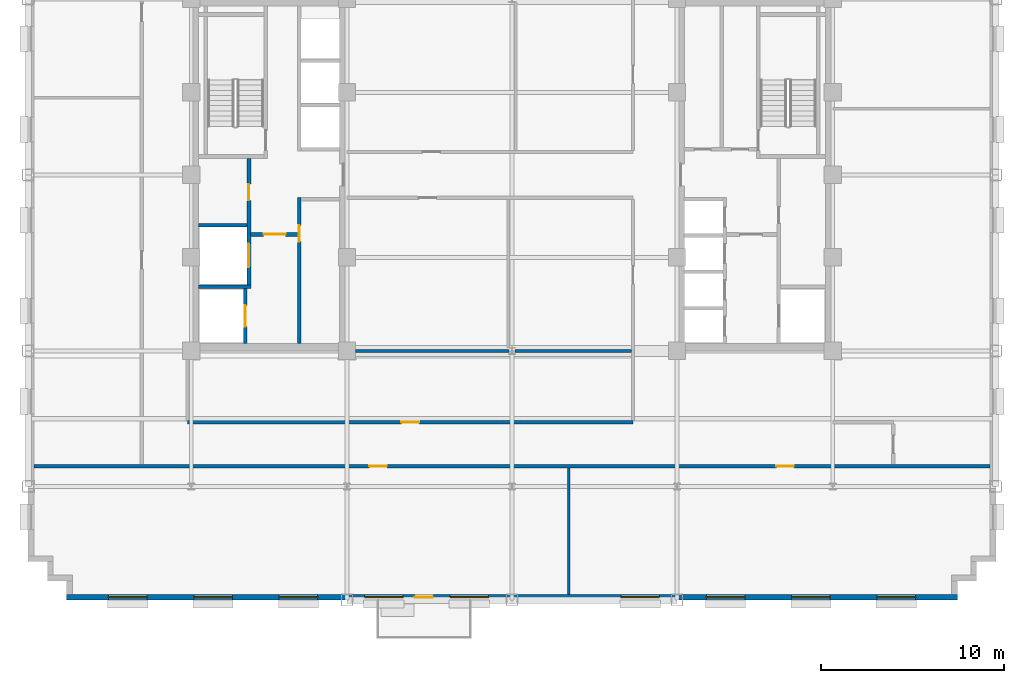
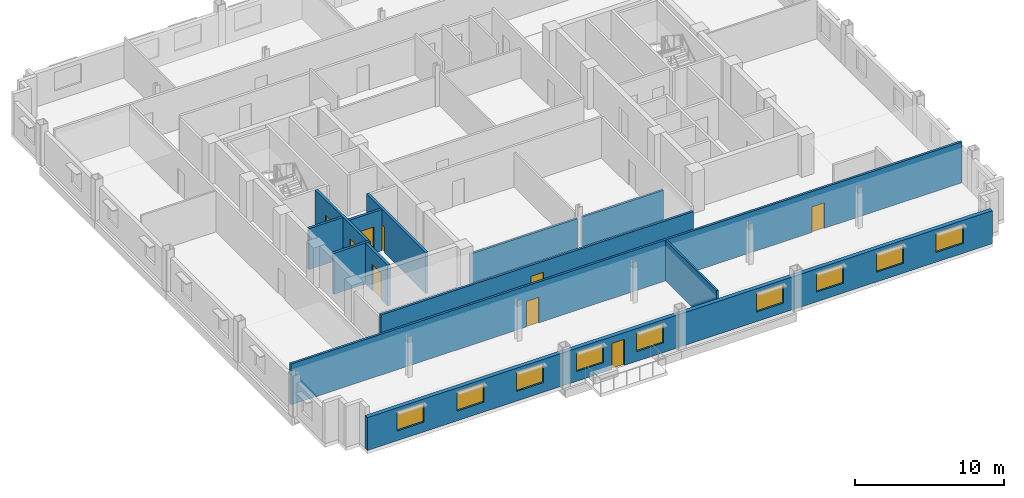
# One storey, part 6 of 14: 12 walls, 9 doors, 9 windows, 18 openings.
"""IFC4 building model written with IfcOpenShell, lengths in metres."""

from ifc_helpers import new_model, si_unit, direction, frame, frame_2d, origin, place, context, subcontext, project, spatial, rectangle, extrude, source, transform, mapped, material, layer, layer_set, type_object, type_shapes, element, fill, save


model = new_model("IFC4")

# Units and contexts
model_context = context("Model", 3, precision=1e-05, world=origin(), true_north=direction((0.0, 1.0)))
body_context = subcontext(model_context, "Body", "Model", "MODEL_VIEW")
ifc_project = project(units=[si_unit("LENGTHUNIT", "METRE"), si_unit("AREAUNIT", "SQUARE_METRE"), si_unit("VOLUMEUNIT", "CUBIC_METRE"), si_unit("PLANEANGLEUNIT", "RADIAN"), si_unit("MASSUNIT", "GRAM", prefix="KILO")], contexts=[model_context])

# Site, building, storey
site_placement = place(None, origin())
site = spatial("IfcSite", under=ifc_project, at=site_placement, CompositionType="ELEMENT")
building_placement = place(site_placement, origin())
building = spatial("IfcBuilding", under=site, at=building_placement, Name="Nuvemarco Arch Tower", CompositionType="ELEMENT")
storey_placement = place(building_placement, frame((0.0, 0.0, 145.75)))
storey = spatial("IfcBuildingStorey", under=building, at=storey_placement, Name="L38", CompositionType="ELEMENT", Elevation=145.75)

# Wall, openings, door, windows
ifc_material_1 = material(Name="Precast concrete C45/55", Category="concrete")
ifc_layer_1 = layer(ifc_material_1, 0.320068359375, Name="EW-MID-320")
ifc_layer_set_1 = layer_set([ifc_layer_1], Name="Precast concrete C45/55")
wall_type_1 = type_object("IfcWallType", Name="EW-MID-320", PredefinedType="STANDARD", material=ifc_layer_set_1)
wall_1_placement = place(storey_placement, frame((-24.300048828125, -23.0400390625, 0.0), z_axis=(0.0, 0.0, 1.0), x_axis=(1.0, 0.0, 0.0)))
wall_1 = element("IfcWall", 1, at=wall_1_placement, inside=storey, type_object=wall_type_1, Name="L38 exterior precast facade wall 1", PredefinedType="STANDARD", context=body_context, shape_type="SweptSolid", body=[
    extrude(rectangle(XDim=48.60009765625, YDim=0.320068359375, at=frame_2d((24.300048828125, 0.0))), origin(), (0.0, 0.0, 1.0), 2.705078125),
])
opening_1_placement = place(wall_1_placement, frame((19.97998046875, 0.0, 0.0), z_axis=(0.0, 0.0, 1.0), x_axis=(-1.0, 0.0, 0.0)))
opening_1 = element("IfcOpeningElement", 2, at=opening_1_placement, cuts=wall_1, Name="Opening ED-6", PredefinedType="OPENING", context=body_context, shape_type="SweptSolid", body=[
    extrude(rectangle(XDim=0.97998046875, YDim=2.14990234375, at=frame_2d((0.489990234375, 1.074951171875))), frame((0.0, 0.169921875, 0.0), z_axis=(0.0, -1.0, 0.0), x_axis=(1.0, 0.0, 0.0)), (0.0, 0.0, 1.0), 0.340087890625),
])
opening_2_placement = place(wall_1_placement, frame((2.280029296875, 0.0, 0.800048828125)))
opening_2 = element("IfcOpeningElement", 3, at=opening_2_placement, cuts=wall_1, Name="Opening WN-5", PredefinedType="OPENING", context=body_context, shape_type="SweptSolid", body=[
    extrude(rectangle(XDim=2.10009765625, YDim=1.56005859375, at=frame_2d((1.050048828125, 0.780029296875))), frame((0.0, 0.169921875, 0.0), z_axis=(0.0, -1.0, 0.0), x_axis=(1.0, 0.0, 0.0)), (0.0, 0.0, 1.0), 0.340087890625),
])
opening_3_placement = place(wall_1_placement, frame((6.93994140625, 0.0, 0.800048828125)))
opening_3 = element("IfcOpeningElement", 4, at=opening_3_placement, cuts=wall_1, Name="Opening WN-5", PredefinedType="OPENING", context=body_context, shape_type="SweptSolid", body=[
    extrude(rectangle(XDim=2.10009765625, YDim=1.56005859375, at=frame_2d((1.050048828125, 0.780029296875))), frame((0.0, 0.169921875, 0.0), z_axis=(0.0, -1.0, 0.0), x_axis=(1.0, 0.0, 0.0)), (0.0, 0.0, 1.0), 0.340087890625),
])
opening_4_placement = place(wall_1_placement, frame((11.60009765625, 0.0, 0.800048828125)))
opening_4 = element("IfcOpeningElement", 5, at=opening_4_placement, cuts=wall_1, Name="Opening WN-5", PredefinedType="OPENING", context=body_context, shape_type="SweptSolid", body=[
    extrude(rectangle(XDim=2.10009765625, YDim=1.56005859375, at=frame_2d((1.050048828125, 0.780029296875))), frame((0.0, 0.169921875, 0.0), z_axis=(0.0, -1.0, 0.0), x_axis=(1.0, 0.0, 0.0)), (0.0, 0.0, 1.0), 0.340087890625),
])
opening_5_placement = place(wall_1_placement, frame((16.260009765625, 0.0, 0.800048828125)))
opening_5 = element("IfcOpeningElement", 6, at=opening_5_placement, cuts=wall_1, Name="Opening WN-5", PredefinedType="OPENING", context=body_context, shape_type="SweptSolid", body=[
    extrude(rectangle(XDim=2.10009765625, YDim=1.56005859375, at=frame_2d((1.050048828125, 0.780029296875))), frame((0.0, 0.169921875, 0.0), z_axis=(0.0, -1.0, 0.0), x_axis=(1.0, 0.0, 0.0)), (0.0, 0.0, 1.0), 0.340087890625),
])
opening_6_placement = place(wall_1_placement, frame((20.919921875, 0.0, 0.800048828125)))
opening_6 = element("IfcOpeningElement", 7, at=opening_6_placement, cuts=wall_1, Name="Opening WN-5", PredefinedType="OPENING", context=body_context, shape_type="SweptSolid", body=[
    extrude(rectangle(XDim=2.10009765625, YDim=1.56005859375, at=frame_2d((1.050048828125, 0.780029296875))), frame((0.0, 0.169921875, 0.0), z_axis=(0.0, -1.0, 0.0), x_axis=(1.0, 0.0, 0.0)), (0.0, 0.0, 1.0), 0.340087890625),
])
opening_7_placement = place(wall_1_placement, frame((30.239990234375, 0.0, 0.800048828125)))
opening_7 = element("IfcOpeningElement", 8, at=opening_7_placement, cuts=wall_1, Name="Opening WN-5", PredefinedType="OPENING", context=body_context, shape_type="SweptSolid", body=[
    extrude(rectangle(XDim=2.10009765625, YDim=1.56005859375, at=frame_2d((1.050048828125, 0.780029296875))), frame((0.0, 0.169921875, 0.0), z_axis=(0.0, -1.0, 0.0), x_axis=(1.0, 0.0, 0.0)), (0.0, 0.0, 1.0), 0.340087890625),
])
opening_8_placement = place(wall_1_placement, frame((34.89990234375, 0.0, 0.800048828125)))
opening_8 = element("IfcOpeningElement", 9, at=opening_8_placement, cuts=wall_1, Name="Opening WN-5", PredefinedType="OPENING", context=body_context, shape_type="SweptSolid", body=[
    extrude(rectangle(XDim=2.10009765625, YDim=1.56005859375, at=frame_2d((1.050048828125, 0.780029296875))), frame((0.0, 0.169921875, 0.0), z_axis=(0.0, -1.0, 0.0), x_axis=(1.0, 0.0, 0.0)), (0.0, 0.0, 1.0), 0.340087890625),
])
opening_9_placement = place(wall_1_placement, frame((39.56005859375, 0.0, 0.800048828125)))
opening_9 = element("IfcOpeningElement", 10, at=opening_9_placement, cuts=wall_1, Name="Opening WN-5", PredefinedType="OPENING", context=body_context, shape_type="SweptSolid", body=[
    extrude(rectangle(XDim=2.10009765625, YDim=1.56005859375, at=frame_2d((1.050048828125, 0.780029296875))), frame((0.0, 0.169921875, 0.0), z_axis=(0.0, -1.0, 0.0), x_axis=(1.0, 0.0, 0.0)), (0.0, 0.0, 1.0), 0.340087890625),
])
opening_10_placement = place(wall_1_placement, frame((44.219970703125, 0.0, 0.800048828125)))
opening_10 = element("IfcOpeningElement", 11, at=opening_10_placement, cuts=wall_1, Name="Opening WN-5", PredefinedType="OPENING", context=body_context, shape_type="SweptSolid", body=[
    extrude(rectangle(XDim=2.10009765625, YDim=1.56005859375, at=frame_2d((1.050048828125, 0.780029296875))), frame((0.0, 0.169921875, 0.0), z_axis=(0.0, -1.0, 0.0), x_axis=(1.0, 0.0, 0.0)), (0.0, 0.0, 1.0), 0.340087890625),
])
ifc_material_2 = material(Name="Anodised bronze and laminated glass", Category="glass")
door_type_1 = type_object("IfcDoorType", Name="DR-EXT-BALC", OperationType="NOTDEFINED", PredefinedType="DOOR", material=ifc_material_2)
shared_shape_1 = source(origin(), body_context, "Body", "SweptSolid", [
    extrude(rectangle(XDim=0.97998046875, YDim=2.14990234375, at=frame_2d((0.489990234375, 1.074951171875))), frame((0.0, 0.02490234375, 0.0), z_axis=(0.0, -1.0, 0.0), x_axis=(1.0, 0.0, 0.0)), (0.0, 0.0, 1.0), 0.050048828125),
])
type_shapes(door_type_1, [shared_shape_1])
door_1_placement = place(opening_1_placement, origin())
door_1 = element("IfcDoor", 12, at=door_1_placement, inside=storey, type_object=door_type_1, Name="L38 tree balcony access door", OperationType="SINGLE_SWING_RIGHT", OverallHeight=2.14990234375, OverallWidth=0.97998046875, PredefinedType="DOOR", context=body_context, shape_type="MappedRepresentation", body=[
    mapped(shared_shape_1, transform((0.0, 0.0, 0.0), scale=1.0)),
])
fill(opening_1, door_1)
ifc_material_3 = material(Name="Insulated solar-control glass", Category="glass")
window_type = type_object("IfcWindowType", Name="WN-MID-2100x1560", PartitioningType="DOUBLE_PANEL_VERTICAL", PredefinedType="WINDOW", material=ifc_material_3)
shared_shape_2 = source(origin(), body_context, "Body", "SweptSolid", [
    extrude(rectangle(XDim=2.10009765625, YDim=1.56005859375, at=frame_2d((1.050048828125, 0.780029296875))), frame((0.0, 0.030029296875, 0.0), z_axis=(0.0, -1.0, 0.0), x_axis=(1.0, 0.0, 0.0)), (0.0, 0.0, 1.0), 0.06005859375),
])
type_shapes(window_type, [shared_shape_2])
window_1_placement = place(opening_2_placement, origin())
window_1 = element("IfcWindow", 13, at=window_1_placement, inside=storey, type_object=window_type, Name="L38 punched facade window 1", OverallHeight=1.56005859375, OverallWidth=2.10009765625, PartitioningType="SINGLE_PANEL", PredefinedType="WINDOW", context=body_context, shape_type="MappedRepresentation", body=[
    mapped(shared_shape_2, transform((0.0, 0.0, 0.0), scale=1.0)),
])
fill(opening_2, window_1)
window_2_placement = place(opening_3_placement, origin())
window_2 = element("IfcWindow", 14, at=window_2_placement, inside=storey, type_object=window_type, Name="L38 punched facade window 2", OverallHeight=1.56005859375, OverallWidth=2.10009765625, PartitioningType="SINGLE_PANEL", PredefinedType="WINDOW", context=body_context, shape_type="MappedRepresentation", body=[
    mapped(shared_shape_2, transform((0.0, 0.0, 0.0), scale=1.0)),
])
fill(opening_3, window_2)
window_3_placement = place(opening_4_placement, origin())
window_3 = element("IfcWindow", 15, at=window_3_placement, inside=storey, type_object=window_type, Name="L38 punched facade window 3", OverallHeight=1.56005859375, OverallWidth=2.10009765625, PartitioningType="SINGLE_PANEL", PredefinedType="WINDOW", context=body_context, shape_type="MappedRepresentation", body=[
    mapped(shared_shape_2, transform((0.0, 0.0, 0.0), scale=1.0)),
])
fill(opening_4, window_3)
window_4_placement = place(opening_5_placement, origin())
window_4 = element("IfcWindow", 16, at=window_4_placement, inside=storey, type_object=window_type, Name="L38 punched facade window 4", OverallHeight=1.56005859375, OverallWidth=2.10009765625, PartitioningType="SINGLE_PANEL", PredefinedType="WINDOW", context=body_context, shape_type="MappedRepresentation", body=[
    mapped(shared_shape_2, transform((0.0, 0.0, 0.0), scale=1.0)),
])
fill(opening_5, window_4)
window_5_placement = place(opening_6_placement, origin())
window_5 = element("IfcWindow", 17, at=window_5_placement, inside=storey, type_object=window_type, Name="L38 punched facade window 5", OverallHeight=1.56005859375, OverallWidth=2.10009765625, PartitioningType="SINGLE_PANEL", PredefinedType="WINDOW", context=body_context, shape_type="MappedRepresentation", body=[
    mapped(shared_shape_2, transform((0.0, 0.0, 0.0), scale=1.0)),
])
fill(opening_6, window_5)
window_6_placement = place(opening_7_placement, origin())
window_6 = element("IfcWindow", 18, at=window_6_placement, inside=storey, type_object=window_type, Name="L38 punched facade window 7", OverallHeight=1.56005859375, OverallWidth=2.10009765625, PartitioningType="SINGLE_PANEL", PredefinedType="WINDOW", context=body_context, shape_type="MappedRepresentation", body=[
    mapped(shared_shape_2, transform((0.0, 0.0, 0.0), scale=1.0)),
])
fill(opening_7, window_6)
window_7_placement = place(opening_8_placement, origin())
window_7 = element("IfcWindow", 19, at=window_7_placement, inside=storey, type_object=window_type, Name="L38 punched facade window 8", OverallHeight=1.56005859375, OverallWidth=2.10009765625, PartitioningType="SINGLE_PANEL", PredefinedType="WINDOW", context=body_context, shape_type="MappedRepresentation", body=[
    mapped(shared_shape_2, transform((0.0, 0.0, 0.0), scale=1.0)),
])
fill(opening_8, window_7)
window_8_placement = place(opening_9_placement, origin())
window_8 = element("IfcWindow", 20, at=window_8_placement, inside=storey, type_object=window_type, Name="L38 punched facade window 9", OverallHeight=1.56005859375, OverallWidth=2.10009765625, PartitioningType="SINGLE_PANEL", PredefinedType="WINDOW", context=body_context, shape_type="MappedRepresentation", body=[
    mapped(shared_shape_2, transform((0.0, 0.0, 0.0), scale=1.0)),
])
fill(opening_9, window_8)
window_9_placement = place(opening_10_placement, origin())
window_9 = element("IfcWindow", 21, at=window_9_placement, inside=storey, type_object=window_type, Name="L38 punched facade window 10", OverallHeight=1.56005859375, OverallWidth=2.10009765625, PartitioningType="SINGLE_PANEL", PredefinedType="WINDOW", context=body_context, shape_type="MappedRepresentation", body=[
    mapped(shared_shape_2, transform((0.0, 0.0, 0.0), scale=1.0)),
])
fill(opening_10, window_9)

# Wall, openings, doors
ifc_material_4 = material(Name="Fire-rated gypsum drywall partition")
ifc_layer_2 = layer(ifc_material_4, 0.179931640625, Name="WL-CORR-180")
ifc_layer_set_2 = layer_set([ifc_layer_2], Name="Fire-rated gypsum drywall partition")
wall_type_2 = type_object("IfcWallType", Name="WL-CORR-180", PredefinedType="PARTITIONING", material=ifc_layer_set_2)
wall_2_placement = place(storey_placement, frame((-26.080078125, -15.89990234375, 0.0), z_axis=(0.0, 0.0, 1.0), x_axis=(1.0, 0.0, 0.0)))
wall_2 = element("IfcWall", 22, at=wall_2_placement, inside=storey, type_object=wall_type_2, Name="L38 interior wall IW-L38-001", PredefinedType="PARTITIONING", context=body_context, shape_type="SweptSolid", body=[
    extrude(rectangle(XDim=52.16015625, YDim=0.179931640625, at=frame_2d((26.080078125, 0.0))), origin(), (0.0, 0.0, 1.0), 3.360107421875),
])
opening_11_placement = place(wall_2_placement, frame((18.300048828125, 0.0, 0.0)))
opening_11 = element("IfcOpeningElement", 23, at=opening_11_placement, cuts=wall_2, Name="Opening FD-5", PredefinedType="OPENING", context=body_context, shape_type="SweptSolid", body=[
    extrude(rectangle(XDim=0.9599609375, YDim=2.10009765625, at=frame_2d((0.47998046875, 1.050048828125))), frame((0.0, 0.099853515625, 0.0), z_axis=(0.0, -1.0, 0.0), x_axis=(1.0, 0.0, 0.0)), (0.0, 0.0, 1.0), 0.199951171875),
])
opening_12_placement = place(wall_2_placement, frame((40.5, 0.0, 0.0)))
opening_12 = element("IfcOpeningElement", 24, at=opening_12_placement, cuts=wall_2, Name="Opening FD-5", PredefinedType="OPENING", context=body_context, shape_type="SweptSolid", body=[
    extrude(rectangle(XDim=0.9599609375, YDim=2.10009765625, at=frame_2d((0.47998046875, 1.050048828125))), frame((0.0, 0.099853515625, 0.0), z_axis=(0.0, -1.0, 0.0), x_axis=(1.0, 0.0, 0.0)), (0.0, 0.0, 1.0), 0.199951171875),
])
ifc_material_5 = material(Name="Timber fire door", Category="wood")
door_type_2 = type_object("IfcDoorType", Name="DR-CORR-FD", OperationType="NOTDEFINED", PredefinedType="DOOR", material=ifc_material_5)
shared_shape_3 = source(origin(), body_context, "Body", "SweptSolid", [
    extrude(rectangle(XDim=0.9599609375, YDim=2.10009765625, at=frame_2d((0.47998046875, 1.050048828125))), frame((0.0, 0.02490234375, 0.0), z_axis=(0.0, -1.0, 0.0), x_axis=(1.0, 0.0, 0.0)), (0.0, 0.0, 1.0), 0.050048828125),
])
type_shapes(door_type_2, [shared_shape_3])
door_2_placement = place(opening_11_placement, origin())
door_2 = element("IfcDoor", 25, at=door_2_placement, inside=storey, type_object=door_type_2, Name="L38 door DR-L38-S_1", OperationType="SINGLE_SWING_RIGHT", OverallHeight=2.10009765625, OverallWidth=0.9599609375, PredefinedType="DOOR", context=body_context, shape_type="MappedRepresentation", body=[
    mapped(shared_shape_3, transform((0.0, 0.0, 0.0), scale=1.0)),
])
fill(opening_11, door_2)
door_3_placement = place(opening_12_placement, origin())
door_3 = element("IfcDoor", 26, at=door_3_placement, inside=storey, type_object=door_type_2, Name="L38 door DR-L38-S_2", OperationType="SINGLE_SWING_RIGHT", OverallHeight=2.10009765625, OverallWidth=0.9599609375, PredefinedType="DOOR", context=body_context, shape_type="MappedRepresentation", body=[
    mapped(shared_shape_3, transform((0.0, 0.0, 0.0), scale=1.0)),
])
fill(opening_12, door_3)

# Wall, opening, door
wall_3_placement = place(storey_placement, frame((-17.699951171875, -13.5, 0.0), z_axis=(0.0, 0.0, 1.0), x_axis=(1.0, 0.0, 0.0)))
wall_3 = element("IfcWall", 27, at=wall_3_placement, inside=storey, type_object=wall_type_2, Name="L38 interior wall IW-L38-002", PredefinedType="PARTITIONING", context=body_context, shape_type="SweptSolid", body=[
    extrude(rectangle(XDim=24.300048828125, YDim=0.179931640625, at=frame_2d((12.14990234375, 0.0))), origin(), (0.0, 0.0, 1.0), 2.998046875),
])
opening_13_placement = place(wall_3_placement, frame((11.669921875, 0.0, 0.0)))
opening_13 = element("IfcOpeningElement", 28, at=opening_13_placement, cuts=wall_3, Name="Opening FD-5", PredefinedType="OPENING", context=body_context, shape_type="SweptSolid", body=[
    extrude(rectangle(XDim=0.9599609375, YDim=2.10009765625, at=frame_2d((0.47998046875, 1.050048828125))), frame((0.0, 0.099853515625, 0.0), z_axis=(0.0, -1.0, 0.0), x_axis=(1.0, 0.0, 0.0)), (0.0, 0.0, 1.0), 0.199951171875),
])
door_4_placement = place(opening_13_placement, origin())
door_4 = element("IfcDoor", 29, at=door_4_placement, inside=storey, type_object=door_type_2, Name="L38 door DR-L38-IN_S1", OperationType="SINGLE_SWING_LEFT", OverallHeight=2.10009765625, OverallWidth=0.9599609375, PredefinedType="DOOR", context=body_context, shape_type="MappedRepresentation", body=[
    mapped(shared_shape_3, transform((0.0, 0.0, 0.0), scale=1.0)),
])
fill(opening_13, door_4)

# Wall
ifc_material_6 = material(Name="Gypsum plasterboard partition")
ifc_layer_3 = layer(ifc_material_6, 0.139892578125, Name="WL-ROOM-140")
ifc_layer_set_3 = layer_set([ifc_layer_3], Name="Gypsum plasterboard partition")
wall_type_3 = type_object("IfcWallType", Name="WL-ROOM-140", PredefinedType="PARTITIONING", material=ifc_layer_set_3)
wall_4_placement = place(storey_placement, frame((3.10009765625, -22.8798828125, 0.0), z_axis=(0.0, 0.0, 1.0), x_axis=(0.0, 1.0, 0.0)))
element("IfcWall", 30, at=wall_4_placement, inside=storey, type_object=wall_type_3, Name="L38 interior wall IW-L38-025", PredefinedType="PARTITIONING", context=body_context, shape_type="SweptSolid", body=[
    extrude(rectangle(XDim=6.893798828125, YDim=0.139892578125, at=frame_2d((3.44677734375, 0.0))), origin(), (0.0, 0.0, 1.0), 3.360107421875),
])

# Wall, opening, door
ifc_material_7 = material(Name="Concrete C50/60", Category="concrete")
ifc_layer_4 = layer(ifc_material_7, 0.199951171875, Name="WL-SHAFT-220")
ifc_layer_set_4 = layer_set([ifc_layer_4], Name="Concrete C50/60")
wall_type_4 = type_object("IfcWallType", Name="WL-SHAFT-220", PredefinedType="SHEAR", material=ifc_layer_set_4)
wall_5_placement = place(storey_placement, frame((-14.550048828125, -9.205078125, 0.0), z_axis=(0.0, 0.0, 1.0), x_axis=(0.0, 1.0, 0.0)))
wall_5 = element("IfcWall", 31, at=wall_5_placement, inside=storey, type_object=wall_type_4, Name="L38 structural shaft wall SW-L38-W-SHE", PredefinedType="SHEAR", context=body_context, shape_type="SweptSolid", body=[
    extrude(rectangle(XDim=3.010009765625, YDim=0.199951171875, at=frame_2d((1.5048828125, 0.0))), origin(), (0.0, 0.0, 1.0), 3.3701171875),
])
opening_14_placement = place(wall_5_placement, frame((0.929931640625, 0.0, 0.0)))
opening_14 = element("IfcOpeningElement", 32, at=opening_14_placement, cuts=wall_5, Name="Opening LD-2", PredefinedType="OPENING", context=body_context, shape_type="SweptSolid", body=[
    extrude(rectangle(XDim=1.14990234375, YDim=2.14990234375, at=frame_2d((0.574951171875, 1.074951171875))), frame((0.0, 0.10986328125, 0.0), z_axis=(0.0, -1.0, 0.0), x_axis=(1.0, 0.0, 0.0)), (0.0, 0.0, 1.0), 0.219970703125),
])
ifc_material_8 = material(Name="Stainless steel lift door", Category="steel")
door_type_3 = type_object("IfcDoorType", Name="DR-LIFT-FIRE", OperationType="DOUBLE_DOOR_SLIDING", PredefinedType="DOOR", material=ifc_material_8)
shared_shape_4 = source(origin(), body_context, "Body", "SweptSolid", [
    extrude(rectangle(XDim=1.14990234375, YDim=2.14990234375, at=frame_2d((0.574951171875, 1.074951171875))), frame((0.0, 0.02490234375, 0.0), z_axis=(0.0, -1.0, 0.0), x_axis=(1.0, 0.0, 0.0)), (0.0, 0.0, 1.0), 0.050048828125),
])
type_shapes(door_type_3, [shared_shape_4])
door_5_placement = place(opening_14_placement, origin())
door_5 = element("IfcDoor", 33, at=door_5_placement, inside=storey, type_object=door_type_3, Name="L38 Lift landing sliding door FFL-1", OperationType="DOUBLE_DOOR_SLIDING", OverallHeight=2.14990234375, OverallWidth=1.14990234375, PredefinedType="DOOR", context=body_context, shape_type="MappedRepresentation", body=[
    mapped(shared_shape_4, transform((0.0, 0.0, 0.0), scale=1.0)),
])
fill(opening_14, door_5)

# Wall, openings, doors
wall_6_placement = place(storey_placement, frame((-14.35009765625, -6.199951171875, 0.0), z_axis=(0.0, 0.0, 1.0), x_axis=(0.0, 1.0, 0.0)))
wall_6 = element("IfcWall", 34, at=wall_6_placement, inside=storey, type_object=wall_type_4, Name="L38 structural shaft wall SW-L38-W-SVE", PredefinedType="SHEAR", context=body_context, shape_type="SweptSolid", body=[
    extrude(rectangle(XDim=7.10498046875, YDim=0.199951171875, at=frame_2d((3.552490234375, 0.0))), origin(), (0.0, 0.0, 1.0), 3.3701171875),
])
opening_15_placement = place(wall_6_placement, frame((5.68994140625, 0.0, 0.0), z_axis=(0.0, 0.0, 1.0), x_axis=(-1.0, 0.0, 0.0)))
opening_15 = element("IfcOpeningElement", 35, at=opening_15_placement, cuts=wall_6, Name="Opening FD-4", PredefinedType="OPENING", context=body_context, shape_type="SweptSolid", body=[
    extrude(rectangle(XDim=0.8798828125, YDim=2.10009765625, at=frame_2d((0.43994140625, 1.050048828125))), frame((0.0, 0.10986328125, 0.0), z_axis=(0.0, -1.0, 0.0), x_axis=(1.0, 0.0, 0.0)), (0.0, 0.0, 1.0), 0.219970703125),
])
opening_16_placement = place(wall_6_placement, frame((1.14990234375, 0.0, 0.0)))
opening_16 = element("IfcOpeningElement", 36, at=opening_16_placement, cuts=wall_6, Name="Opening LD-3", PredefinedType="OPENING", context=body_context, shape_type="SweptSolid", body=[
    extrude(rectangle(XDim=1.300048828125, YDim=2.199951171875, at=frame_2d((0.64990234375, 1.10009765625))), frame((0.0, 0.10986328125, 0.0), z_axis=(0.0, -1.0, 0.0), x_axis=(1.0, 0.0, 0.0)), (0.0, 0.0, 1.0), 0.219970703125),
])
ifc_material_9 = material(Name="Anodised steel fire door", Category="steel")
door_type_4 = type_object("IfcDoorType", Name="DR-RISER-FD", OperationType="NOTDEFINED", PredefinedType="DOOR", material=ifc_material_9)
shared_shape_5 = source(origin(), body_context, "Body", "SweptSolid", [
    extrude(rectangle(XDim=0.8798828125, YDim=2.10009765625, at=frame_2d((0.43994140625, 1.050048828125))), frame((0.0, 0.02490234375, 0.0), z_axis=(0.0, -1.0, 0.0), x_axis=(1.0, 0.0, 0.0)), (0.0, 0.0, 1.0), 0.050048828125),
])
type_shapes(door_type_4, [shared_shape_5])
door_6_placement = place(opening_15_placement, origin())
door_6 = element("IfcDoor", 37, at=door_6_placement, inside=storey, type_object=door_type_4, Name="L38 door FD-L38-WRIS", OperationType="SINGLE_SWING_RIGHT", OverallHeight=2.10009765625, OverallWidth=0.8798828125, PredefinedType="DOOR", context=body_context, shape_type="MappedRepresentation", body=[
    mapped(shared_shape_5, transform((0.0, 0.0, 0.0), scale=1.0)),
])
fill(opening_15, door_6)
door_type_5 = type_object("IfcDoorType", Name="DR-LIFT-SERV", OperationType="DOUBLE_DOOR_SLIDING", PredefinedType="DOOR", material=ifc_material_8)
shared_shape_6 = source(origin(), body_context, "Body", "SweptSolid", [
    extrude(rectangle(XDim=1.300048828125, YDim=2.199951171875, at=frame_2d((0.64990234375, 1.10009765625))), frame((0.0, 0.02490234375, 0.0), z_axis=(0.0, -1.0, 0.0), x_axis=(1.0, 0.0, 0.0)), (0.0, 0.0, 1.0), 0.050048828125),
])
type_shapes(door_type_5, [shared_shape_6])
door_7_placement = place(opening_16_placement, origin())
door_7 = element("IfcDoor", 38, at=door_7_placement, inside=storey, type_object=door_type_5, Name="L38 Lift landing sliding door SVL-1", OperationType="DOUBLE_DOOR_SLIDING", OverallHeight=2.199951171875, OverallWidth=1.300048828125, PredefinedType="DOOR", context=body_context, shape_type="MappedRepresentation", body=[
    mapped(shared_shape_6, transform((0.0, 0.0, 0.0), scale=1.0)),
])
fill(opening_16, door_7)

# Walls
wall_7_placement = place(storey_placement, frame((-17.10498046875, -6.10009765625, 0.0), z_axis=(0.0, 0.0, 1.0), x_axis=(1.0, 0.0, 0.0)))
element("IfcWall", 39, at=wall_7_placement, inside=storey, type_object=wall_type_4, Name="L38 structural shaft wall SW-L38-W-SH1", PredefinedType="SHEAR", context=body_context, shape_type="SweptSolid", body=[
    extrude(rectangle(XDim=2.85498046875, YDim=0.199951171875, at=frame_2d((1.427490234375, 0.0))), origin(), (0.0, 0.0, 1.0), 3.3701171875),
])
wall_8_placement = place(storey_placement, frame((-17.10498046875, -2.75, 0.0), z_axis=(0.0, 0.0, 1.0), x_axis=(1.0, 0.0, 0.0)))
element("IfcWall", 40, at=wall_8_placement, inside=storey, type_object=wall_type_4, Name="L38 structural shaft wall SW-L38-W-SH2", PredefinedType="SHEAR", context=body_context, shape_type="SweptSolid", body=[
    extrude(rectangle(XDim=2.659912109375, YDim=0.199951171875, at=frame_2d((1.330078125, 0.0))), origin(), (0.0, 0.0, 1.0), 3.3701171875),
])

# Wall, opening, door
wall_9_placement = place(storey_placement, frame((-11.60009765625, -9.205078125, 0.0), z_axis=(0.0, 0.0, 1.0), x_axis=(0.0, 1.0, 0.0)))
wall_9 = element("IfcWall", 41, at=wall_9_placement, inside=storey, type_object=wall_type_4, Name="L38 structural shaft wall SW-L38-W-PLW", PredefinedType="SHEAR", context=body_context, shape_type="SweptSolid", body=[
    extrude(rectangle(XDim=7.97509765625, YDim=0.199951171875, at=frame_2d((3.987548828125, 0.0))), origin(), (0.0, 0.0, 1.0), 3.3701171875),
])
opening_17_placement = place(wall_9_placement, frame((5.56494140625, 0.0, 0.0)))
opening_17 = element("IfcOpeningElement", 42, at=opening_17_placement, cuts=wall_9, Name="Opening FD-4", PredefinedType="OPENING", context=body_context, shape_type="SweptSolid", body=[
    extrude(rectangle(XDim=0.8798828125, YDim=2.10009765625, at=frame_2d((0.43994140625, 1.050048828125))), frame((0.0, 0.10986328125, 0.0), z_axis=(0.0, -1.0, 0.0), x_axis=(1.0, 0.0, 0.0)), (0.0, 0.0, 1.0), 0.219970703125),
])
door_8_placement = place(opening_17_placement, origin())
door_8 = element("IfcDoor", 43, at=door_8_placement, inside=storey, type_object=door_type_4, Name="L38 door FD-L38-WREC1", OperationType="SINGLE_SWING_RIGHT", OverallHeight=2.10009765625, OverallWidth=0.8798828125, PredefinedType="DOOR", context=body_context, shape_type="MappedRepresentation", body=[
    mapped(shared_shape_5, transform((0.0, 0.0, 0.0), scale=1.0)),
])
fill(opening_17, door_8)

wall_10_placement = place(storey_placement, frame((-14.2548828125, -3.25, 0.0), z_axis=(0.0, 0.0, 1.0), x_axis=(1.0, 0.0, 0.0)))
wall_10 = element("IfcWall", 44, at=wall_10_placement, inside=storey, type_object=wall_type_4, Name="L38 structural shaft wall SW-L38-W-FFN", PredefinedType="SHEAR", context=body_context, shape_type="SweptSolid", body=[
    extrude(rectangle(XDim=2.559814453125, YDim=0.199951171875, at=frame_2d((1.27978515625, 0.0))), origin(), (0.0, 0.0, 1.0), 3.3701171875),
])
opening_18_placement = place(wall_10_placement, frame((0.705078125, 0.0, 0.0)))
opening_18 = element("IfcOpeningElement", 45, at=opening_18_placement, cuts=wall_10, Name="Opening FD-2", PredefinedType="OPENING", context=body_context, shape_type="SweptSolid", body=[
    extrude(rectangle(XDim=1.199951171875, YDim=2.14990234375, at=frame_2d((0.60009765625, 1.074951171875))), frame((0.0, 0.10986328125, 0.0), z_axis=(0.0, -1.0, 0.0), x_axis=(1.0, 0.0, 0.0)), (0.0, 0.0, 1.0), 0.219970703125),
])
door_type_6 = type_object("IfcDoorType", Name="DR-FFLOB-FD", OperationType="NOTDEFINED", PredefinedType="DOOR", material=ifc_material_9)
shared_shape_7 = source(origin(), body_context, "Body", "SweptSolid", [
    extrude(rectangle(XDim=1.199951171875, YDim=2.14990234375, at=frame_2d((0.60009765625, 1.074951171875))), frame((0.0, 0.02490234375, 0.0), z_axis=(0.0, -1.0, 0.0), x_axis=(1.0, 0.0, 0.0)), (0.0, 0.0, 1.0), 0.050048828125),
])
type_shapes(door_type_6, [shared_shape_7])
door_9_placement = place(opening_18_placement, origin())
door_9 = element("IfcDoor", 46, at=door_9_placement, inside=storey, type_object=door_type_6, Name="L38 door FD-L38-WFF1", OperationType="SINGLE_SWING_RIGHT", OverallHeight=2.14990234375, OverallWidth=1.199951171875, PredefinedType="DOOR", context=body_context, shape_type="MappedRepresentation", body=[
    mapped(shared_shape_7, transform((0.0, 0.0, 0.0), scale=1.0)),
])
fill(opening_18, door_9)

# Walls
ifc_material_10 = material(Name="Acoustic gypsum drywall partition")
ifc_layer_5 = layer(ifc_material_10, 0.159912109375, Name="WL-TENANT-160")
ifc_layer_set_5 = layer_set([ifc_layer_5], Name="Acoustic gypsum drywall partition")
wall_type_5 = type_object("IfcWallType", Name="WL-TENANT-160", PredefinedType="PARTITIONING", material=ifc_layer_set_5)
wall_11_placement = place(storey_placement, frame((-8.529052734375, -9.60009765625, 0.0), z_axis=(0.0, 0.0, 1.0), x_axis=(1.0, 0.0, 0.0)))
element("IfcWall", 47, at=wall_11_placement, inside=storey, type_object=wall_type_5, Name="L38 interior wall IW-L38-004", PredefinedType="PARTITIONING", context=body_context, shape_type="SweptSolid", body=[
    extrude(rectangle(XDim=8.35302734375, YDim=0.159912109375, at=frame_2d((4.176513671875, 0.0))), origin(), (0.0, 0.0, 1.0), 2.405029296875),
])
wall_12_placement = place(storey_placement, frame((0.176025390625, -9.60009765625, 0.0), z_axis=(0.0, 0.0, 1.0), x_axis=(1.0, 0.0, 0.0)))
element("IfcWall", 48, at=wall_12_placement, inside=storey, type_object=wall_type_5, Name="L38 interior wall IW-L38-005", PredefinedType="PARTITIONING", context=body_context, shape_type="SweptSolid", body=[
    extrude(rectangle(XDim=6.337890625, YDim=0.159912109375, at=frame_2d((3.1689453125, 0.0))), origin(), (0.0, 0.0, 1.0), 2.405029296875),
])

save(model, "model.ifc")
